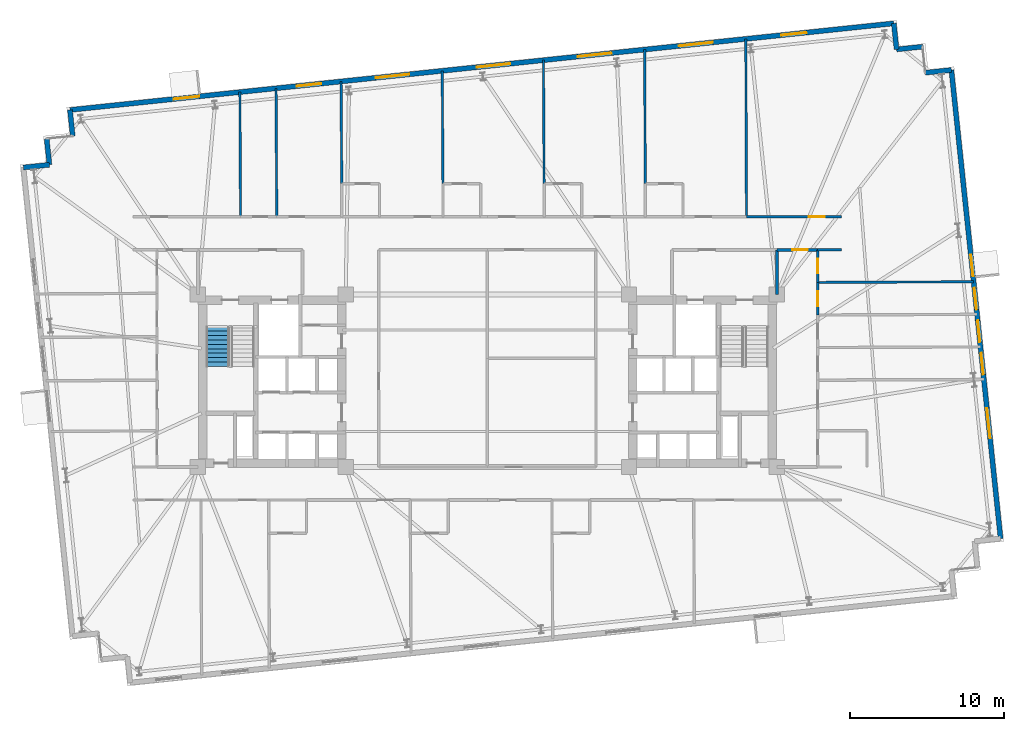
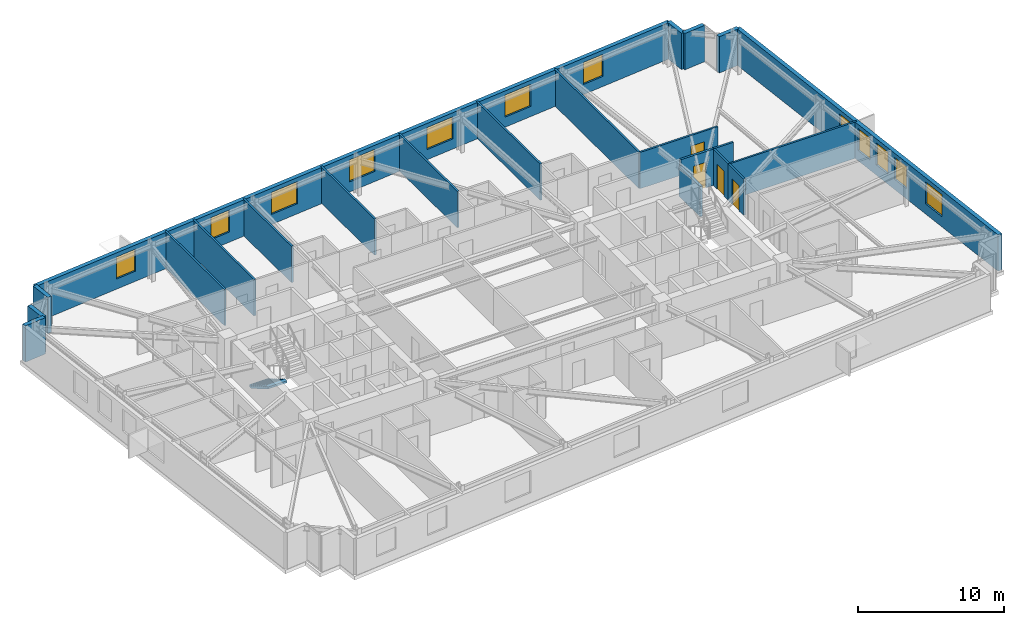
# One storey, part 16 of 19: 22 walls, 12 windows, 4 doors, 1 stair flight, 16 openings, 1 element without a shape of its own.
"""IFC4 building model written with IfcOpenShell, lengths in metres."""

from ifc_helpers import new_model, si_unit, direction, frame, frame_2d, origin, place, context, subcontext, project, spatial, polyline, rectangle, outline, extrude, material, layer, layer_set, type_object, element, fill, aggregate, save


model = new_model("IFC4")

# Units and contexts
model_context = context("Model", 3, precision=1e-05, world=origin(), true_north=direction((0.0, 1.0)))
body_context = subcontext(model_context, "Body", "Model", "MODEL_VIEW")
ifc_project = project(units=[si_unit("LENGTHUNIT", "METRE"), si_unit("AREAUNIT", "SQUARE_METRE"), si_unit("VOLUMEUNIT", "CUBIC_METRE"), si_unit("PLANEANGLEUNIT", "RADIAN"), si_unit("MASSUNIT", "GRAM", prefix="KILO")], contexts=[model_context])

# Site, building, storey
site_placement = place(None, origin())
site = spatial("IfcSite", under=ifc_project, at=site_placement, CompositionType="ELEMENT")
building_placement = place(site_placement, origin())
building = spatial("IfcBuilding", under=site, at=building_placement, Name="Qobustan Lattice House", CompositionType="ELEMENT")
storey_placement = place(building_placement, frame((0.0, 0.0, 85.699951171875)))
storey = spatial("IfcBuildingStorey", under=building, at=storey_placement, Name="L23", CompositionType="ELEMENT", Elevation=85.699951171875)

# Walls
ifc_material_1 = material(Name="Precast concrete C40/50", Category="concrete")
ifc_layer_1 = layer(ifc_material_1, 0.320068359375)
ifc_layer_set_1 = layer_set([ifc_layer_1], Name="Precast concrete C40/50")
wall_type_1 = type_object("IfcWallType", Name="WAL-EXT-STONE-320", PredefinedType="SOLIDWALL", material=ifc_layer_set_1)
for number, where, z_axis, x_axis, name in (
    (1, (-30.13330078125, 13.84912109375, 0.0), (0.0, 0.0, 1.0), (0.994534530939, 0.104408173862, 0.0), "L23 exterior limestone-clad wall 6"),
    (2, (-28.442626953125, 14.026611328125, 0.0), (0.0, 0.0, 1.0), (-0.104550220202, 0.994519608382, 0.0), "L23 exterior limestone-clad wall 7"),
    (3, (-26.9296875, 15.89501953125, 0.0), (0.0, 0.0, 1.0), (-0.104550220202, 0.994519608382, 0.0), "L23 exterior limestone-clad wall 9"),
):
    element("IfcWall", number, at=place(storey_placement, frame(where, z_axis=z_axis, x_axis=x_axis)), inside=storey, type_object=wall_type_1, Name=name, PredefinedType="SOLIDWALL", context=body_context, shape_type="SweptSolid", body=[
        extrude(rectangle(XDim=1.699951171875, YDim=0.320068359375, at=frame_2d((0.85009765625, 0.0))), origin(), (0.0, 0.0, 1.0), 3.045166015625),
    ])

# Wall, openings, windows
wall_1_placement = place(storey_placement, frame((-27.107421875, 17.585693359375, 0.0), z_axis=(0.0, 0.0, 1.0), x_axis=(0.994521628355, 0.104531003701, 0.0)))
wall_1 = element("IfcWall", 4, at=wall_1_placement, inside=storey, type_object=wall_type_1, Name="L23 exterior limestone-clad wall 10", PredefinedType="SOLIDWALL", context=body_context, shape_type="SweptSolid", body=[
    extrude(rectangle(XDim=53.800048828125, YDim=0.320068359375, at=frame_2d((26.89990234375, 0.0))), origin(), (0.0, 0.0, 1.0), 3.045166015625),
])
opening_1_placement = place(wall_1_placement, frame((6.78076171875, 0.0, 0.85009765625)))
opening_1 = element("IfcOpeningElement", 5, at=opening_1_placement, cuts=wall_1, Name="Opening WN-09", PredefinedType="OPENING", context=body_context, shape_type="SweptSolid", body=[
    extrude(rectangle(XDim=1.64990234375, YDim=1.85009765625, at=frame_2d((0.824951171875, 0.925048828125))), frame((0.0, 0.169921875, 0.0), z_axis=(0.0, -1.0, 0.0), x_axis=(1.0, 0.0, 0.0)), (0.0, 0.0, 1.0), 0.340087890625),
])
opening_2_placement = place(wall_1_placement, frame((14.8115234375, 0.0, 0.85009765625)))
opening_2 = element("IfcOpeningElement", 6, at=opening_2_placement, cuts=wall_1, Name="Opening WN-13", PredefinedType="OPENING", context=body_context, shape_type="SweptSolid", body=[
    extrude(rectangle(XDim=1.60009765625, YDim=1.85009765625, at=frame_2d((0.800048828125, 0.925048828125))), frame((0.0, 0.169921875, 0.0), z_axis=(0.0, -1.0, 0.0), x_axis=(1.0, 0.0, 0.0)), (0.0, 0.0, 1.0), 0.340087890625),
])
opening_3_placement = place(wall_1_placement, frame((19.955810546875, 0.0, 0.85009765625)))
opening_3 = element("IfcOpeningElement", 7, at=opening_3_placement, cuts=wall_1, Name="Opening WN-03", PredefinedType="OPENING", context=body_context, shape_type="SweptSolid", body=[
    extrude(rectangle(XDim=2.199951171875, YDim=1.85009765625, at=frame_2d((1.10009765625, 0.925048828125))), frame((0.0, 0.169921875, 0.0), z_axis=(0.0, -1.0, 0.0), x_axis=(1.0, 0.0, 0.0)), (0.0, 0.0, 1.0), 0.340087890625),
])
opening_4_placement = place(wall_1_placement, frame((26.560546875, 0.0, 0.85009765625)))
opening_4 = element("IfcOpeningElement", 8, at=opening_4_placement, cuts=wall_1, Name="Opening WN-03", PredefinedType="OPENING", context=body_context, shape_type="SweptSolid", body=[
    extrude(rectangle(XDim=2.199951171875, YDim=1.85009765625, at=frame_2d((1.10009765625, 0.925048828125))), frame((0.0, 0.169921875, 0.0), z_axis=(0.0, -1.0, 0.0), x_axis=(1.0, 0.0, 0.0)), (0.0, 0.0, 1.0), 0.340087890625),
])
opening_5_placement = place(wall_1_placement, frame((33.16552734375, 0.0, 0.85009765625)))
opening_5 = element("IfcOpeningElement", 9, at=opening_5_placement, cuts=wall_1, Name="Opening WN-03", PredefinedType="OPENING", context=body_context, shape_type="SweptSolid", body=[
    extrude(rectangle(XDim=2.199951171875, YDim=1.85009765625, at=frame_2d((1.10009765625, 0.925048828125))), frame((0.0, 0.169921875, 0.0), z_axis=(0.0, -1.0, 0.0), x_axis=(1.0, 0.0, 0.0)), (0.0, 0.0, 1.0), 0.340087890625),
])
opening_6_placement = place(wall_1_placement, frame((39.7705078125, 0.0, 0.85009765625)))
opening_6 = element("IfcOpeningElement", 10, at=opening_6_placement, cuts=wall_1, Name="Opening WN-03", PredefinedType="OPENING", context=body_context, shape_type="SweptSolid", body=[
    extrude(rectangle(XDim=2.199951171875, YDim=1.85009765625, at=frame_2d((1.10009765625, 0.925048828125))), frame((0.0, 0.169921875, 0.0), z_axis=(0.0, -1.0, 0.0), x_axis=(1.0, 0.0, 0.0)), (0.0, 0.0, 1.0), 0.340087890625),
])
opening_7_placement = place(wall_1_placement, frame((46.4501953125, 0.0, 0.85009765625)))
opening_7 = element("IfcOpeningElement", 11, at=opening_7_placement, cuts=wall_1, Name="Opening WN-09", PredefinedType="OPENING", context=body_context, shape_type="SweptSolid", body=[
    extrude(rectangle(XDim=1.64990234375, YDim=1.85009765625, at=frame_2d((0.824951171875, 0.925048828125))), frame((0.0, 0.169921875, 0.0), z_axis=(0.0, -1.0, 0.0), x_axis=(1.0, 0.0, 0.0)), (0.0, 0.0, 1.0), 0.340087890625),
])
ifc_material_2 = material(Name="Double-glazed low-E aluminium window", Category="aluminium")
window_type_1 = type_object("IfcWindowType", Name="WIN-BED-1600x1850", PartitioningType="SINGLE_PANEL", PredefinedType="WINDOW", material=ifc_material_2)
window_1_placement = place(opening_2_placement, origin())
window_1 = element("IfcWindow", 12, at=window_1_placement, inside=storey, type_object=window_type_1, Name="L23 Laundry utility room window", OverallHeight=1.85009765625, OverallWidth=1.60009765625, PartitioningType="SINGLE_PANEL", PredefinedType="WINDOW", context=body_context, shape_type="SweptSolid", body=[
    extrude(rectangle(XDim=1.60009765625, YDim=1.85009765625, at=frame_2d((0.800048828125, 0.925048828125))), frame((0.0, 0.030029296875, 0.0), z_axis=(0.0, -1.0, 0.0), x_axis=(1.0, 0.0, 0.0)), (0.0, 0.0, 1.0), 0.06005859375),
])
fill(opening_2, window_1)
ifc_material_3 = material(Name="Double-glazed low-E aluminium window", Category="aluminium")
window_type_2 = type_object("IfcWindowType", Name="WIN-STU-1650x1850", PartitioningType="SINGLE_PANEL", PredefinedType="WINDOW", material=ifc_material_3)
window_2_placement = place(opening_1_placement, origin())
window_2 = element("IfcWindow", 13, at=window_2_placement, inside=storey, type_object=window_type_2, Name="L23 Focus study room N1 window", OverallHeight=1.85009765625, OverallWidth=1.64990234375, PartitioningType="SINGLE_PANEL", PredefinedType="WINDOW", context=body_context, shape_type="SweptSolid", body=[
    extrude(rectangle(XDim=1.64990234375, YDim=1.85009765625, at=frame_2d((0.824951171875, 0.925048828125))), frame((0.0, 0.030029296875, 0.0), z_axis=(0.0, -1.0, 0.0), x_axis=(1.0, 0.0, 0.0)), (0.0, 0.0, 1.0), 0.06005859375),
])
fill(opening_1, window_2)
window_3_placement = place(opening_7_placement, origin())
window_3 = element("IfcWindow", 14, at=window_3_placement, inside=storey, type_object=window_type_2, Name="L23 Focus study room N7 window", OverallHeight=1.85009765625, OverallWidth=1.64990234375, PartitioningType="SINGLE_PANEL", PredefinedType="WINDOW", context=body_context, shape_type="SweptSolid", body=[
    extrude(rectangle(XDim=1.64990234375, YDim=1.85009765625, at=frame_2d((0.824951171875, 0.925048828125))), frame((0.0, 0.030029296875, 0.0), z_axis=(0.0, -1.0, 0.0), x_axis=(1.0, 0.0, 0.0)), (0.0, 0.0, 1.0), 0.06005859375),
])
fill(opening_7, window_3)
ifc_material_4 = material(Name="Double-glazed low-E aluminium window", Category="aluminium")
window_type_3 = type_object("IfcWindowType", Name="WIN-WIDE-2200x1850", PartitioningType="SINGLE_PANEL", PredefinedType="WINDOW", material=ifc_material_4)
window_4_placement = place(opening_3_placement, origin())
window_4 = element("IfcWindow", 15, at=window_4_placement, inside=storey, type_object=window_type_3, Name="L23 Kitchenette and studio apartment L23-N3 window", OverallHeight=1.85009765625, OverallWidth=2.199951171875, PartitioningType="SINGLE_PANEL", PredefinedType="WINDOW", context=body_context, shape_type="SweptSolid", body=[
    extrude(rectangle(XDim=2.199951171875, YDim=1.85009765625, at=frame_2d((1.10009765625, 0.925048828125))), frame((0.0, 0.030029296875, 0.0), z_axis=(0.0, -1.0, 0.0), x_axis=(1.0, 0.0, 0.0)), (0.0, 0.0, 1.0), 0.06005859375),
])
fill(opening_3, window_4)
window_5_placement = place(opening_4_placement, origin())
window_5 = element("IfcWindow", 16, at=window_5_placement, inside=storey, type_object=window_type_3, Name="L23 Kitchenette and studio apartment L23-N4 window", OverallHeight=1.85009765625, OverallWidth=2.199951171875, PartitioningType="SINGLE_PANEL", PredefinedType="WINDOW", context=body_context, shape_type="SweptSolid", body=[
    extrude(rectangle(XDim=2.199951171875, YDim=1.85009765625, at=frame_2d((1.10009765625, 0.925048828125))), frame((0.0, 0.030029296875, 0.0), z_axis=(0.0, -1.0, 0.0), x_axis=(1.0, 0.0, 0.0)), (0.0, 0.0, 1.0), 0.06005859375),
])
fill(opening_4, window_5)
window_6_placement = place(opening_5_placement, origin())
window_6 = element("IfcWindow", 17, at=window_6_placement, inside=storey, type_object=window_type_3, Name="L23 Kitchenette and studio apartment L23-N5 window", OverallHeight=1.85009765625, OverallWidth=2.199951171875, PartitioningType="SINGLE_PANEL", PredefinedType="WINDOW", context=body_context, shape_type="SweptSolid", body=[
    extrude(rectangle(XDim=2.199951171875, YDim=1.85009765625, at=frame_2d((1.10009765625, 0.925048828125))), frame((0.0, 0.030029296875, 0.0), z_axis=(0.0, -1.0, 0.0), x_axis=(1.0, 0.0, 0.0)), (0.0, 0.0, 1.0), 0.06005859375),
])
fill(opening_5, window_6)
window_7_placement = place(opening_6_placement, origin())
window_7 = element("IfcWindow", 18, at=window_7_placement, inside=storey, type_object=window_type_3, Name="L23 Kitchenette and studio apartment L23-N6 window", OverallHeight=1.85009765625, OverallWidth=2.199951171875, PartitioningType="SINGLE_PANEL", PredefinedType="WINDOW", context=body_context, shape_type="SweptSolid", body=[
    extrude(rectangle(XDim=2.199951171875, YDim=1.85009765625, at=frame_2d((1.10009765625, 0.925048828125))), frame((0.0, 0.030029296875, 0.0), z_axis=(0.0, -1.0, 0.0), x_axis=(1.0, 0.0, 0.0)), (0.0, 0.0, 1.0), 0.06005859375),
])
fill(opening_6, window_7)

# Walls
for number, where, z_axis, x_axis, name in (
    (19, (26.39794921875, 23.20947265625, 0.0), (0.0, 0.0, 1.0), (0.104550220202, -0.994519608382, 0.0), "L23 exterior limestone-clad wall 11"),
    (20, (26.57568359375, 21.518798828125, 0.0), (0.0, 0.0, 1.0), (0.994534530939, 0.104408173862, 0.0), "L23 exterior limestone-clad wall 12"),
    (21, (28.444091796875, 20.005615234375, 0.0), (0.0, 0.0, 1.0), (0.994519608382, 0.104550220202, 0.0), "L23 exterior limestone-clad wall 14"),
):
    element("IfcWall", number, at=place(storey_placement, frame(where, z_axis=z_axis, x_axis=x_axis)), inside=storey, type_object=wall_type_1, Name=name, PredefinedType="SOLIDWALL", context=body_context, shape_type="SweptSolid", body=[
        extrude(rectangle(XDim=1.699951171875, YDim=0.320068359375, at=frame_2d((0.85009765625, 0.0))), origin(), (0.0, 0.0, 1.0), 3.045166015625),
    ])

# Wall, openings, windows
wall_2_placement = place(storey_placement, frame((30.134765625, 20.183349609375, 0.0), z_axis=(0.0, 0.0, 1.0), x_axis=(0.104525716865, -0.994522184023, 0.0)))
wall_2 = element("IfcWall", 22, at=wall_2_placement, inside=storey, type_object=wall_type_1, Name="L23 exterior limestone-clad wall 15", PredefinedType="SOLIDWALL", context=body_context, shape_type="SweptSolid", body=[
    extrude(rectangle(XDim=30.60009765625, YDim=0.320068359375, at=frame_2d((15.300048828125, 0.0))), origin(), (0.0, 0.0, 1.0), 3.045166015625),
])
opening_8_placement = place(wall_2_placement, frame((12.07666015625, 0.0, 0.85009765625)))
opening_8 = element("IfcOpeningElement", 23, at=opening_8_placement, cuts=wall_2, Name="Opening WN-12", PredefinedType="OPENING", context=body_context, shape_type="SweptSolid", body=[
    extrude(rectangle(XDim=1.39990234375, YDim=1.85009765625, at=frame_2d((0.699951171875, 0.925048828125))), frame((0.0, 0.169921875, 0.0), z_axis=(0.0, -1.0, 0.0), x_axis=(1.0, 0.0, 0.0)), (0.0, 0.0, 1.0), 0.340087890625),
])
opening_9_placement = place(wall_2_placement, frame((14.239501953125, 0.0, 0.85009765625)))
opening_9 = element("IfcOpeningElement", 24, at=opening_9_placement, cuts=wall_2, Name="Opening WN-12", PredefinedType="OPENING", context=body_context, shape_type="SweptSolid", body=[
    extrude(rectangle(XDim=1.39990234375, YDim=1.85009765625, at=frame_2d((0.699951171875, 0.925048828125))), frame((0.0, 0.169921875, 0.0), z_axis=(0.0, -1.0, 0.0), x_axis=(1.0, 0.0, 0.0)), (0.0, 0.0, 1.0), 0.340087890625),
])
opening_10_placement = place(wall_2_placement, frame((16.3623046875, 0.0, 0.85009765625)))
opening_10 = element("IfcOpeningElement", 25, at=opening_10_placement, cuts=wall_2, Name="Opening WN-12", PredefinedType="OPENING", context=body_context, shape_type="SweptSolid", body=[
    extrude(rectangle(XDim=1.39990234375, YDim=1.85009765625, at=frame_2d((0.699951171875, 0.925048828125))), frame((0.0, 0.169921875, 0.0), z_axis=(0.0, -1.0, 0.0), x_axis=(1.0, 0.0, 0.0)), (0.0, 0.0, 1.0), 0.340087890625),
])
opening_11_placement = place(wall_2_placement, frame((18.485107421875, 0.0, 0.85009765625)))
opening_11 = element("IfcOpeningElement", 26, at=opening_11_placement, cuts=wall_2, Name="Opening WN-12", PredefinedType="OPENING", context=body_context, shape_type="SweptSolid", body=[
    extrude(rectangle(XDim=1.39990234375, YDim=1.85009765625, at=frame_2d((0.699951171875, 0.925048828125))), frame((0.0, 0.169921875, 0.0), z_axis=(0.0, -1.0, 0.0), x_axis=(1.0, 0.0, 0.0)), (0.0, 0.0, 1.0), 0.340087890625),
])
opening_12_placement = place(wall_2_placement, frame((22.09521484375, 0.0, 0.85009765625)))
opening_12 = element("IfcOpeningElement", 27, at=opening_12_placement, cuts=wall_2, Name="Opening WN-08", PredefinedType="OPENING", context=body_context, shape_type="SweptSolid", body=[
    extrude(rectangle(XDim=1.949951171875, YDim=1.85009765625, at=frame_2d((0.97509765625, 0.925048828125))), frame((0.0, 0.169921875, 0.0), z_axis=(0.0, -1.0, 0.0), x_axis=(1.0, 0.0, 0.0)), (0.0, 0.0, 1.0), 0.340087890625),
])
ifc_material_5 = material(Name="Double-glazed low-E aluminium window", Category="aluminium")
window_type_4 = type_object("IfcWindowType", Name="WIN-BED-1400x1850", PartitioningType="SINGLE_PANEL", PredefinedType="WINDOW", material=ifc_material_5)
window_8_placement = place(opening_8_placement, origin())
window_8 = element("IfcWindow", 28, at=window_8_placement, inside=storey, type_object=window_type_4, Name="L23 Cluster bedroom L23E4 window", OverallHeight=1.85009765625, OverallWidth=1.39990234375, PartitioningType="SINGLE_PANEL", PredefinedType="WINDOW", context=body_context, shape_type="SweptSolid", body=[
    extrude(rectangle(XDim=1.39990234375, YDim=1.85009765625, at=frame_2d((0.699951171875, 0.925048828125))), frame((0.0, 0.030029296875, 0.0), z_axis=(0.0, -1.0, 0.0), x_axis=(1.0, 0.0, 0.0)), (0.0, 0.0, 1.0), 0.06005859375),
])
fill(opening_8, window_8)
window_9_placement = place(opening_9_placement, origin())
window_9 = element("IfcWindow", 29, at=window_9_placement, inside=storey, type_object=window_type_4, Name="L23 Cluster bedroom L23E3 window", OverallHeight=1.85009765625, OverallWidth=1.39990234375, PartitioningType="SINGLE_PANEL", PredefinedType="WINDOW", context=body_context, shape_type="SweptSolid", body=[
    extrude(rectangle(XDim=1.39990234375, YDim=1.85009765625, at=frame_2d((0.699951171875, 0.925048828125))), frame((0.0, 0.030029296875, 0.0), z_axis=(0.0, -1.0, 0.0), x_axis=(1.0, 0.0, 0.0)), (0.0, 0.0, 1.0), 0.06005859375),
])
fill(opening_9, window_9)
window_10_placement = place(opening_10_placement, origin())
window_10 = element("IfcWindow", 30, at=window_10_placement, inside=storey, type_object=window_type_4, Name="L23 Cluster bedroom L23E2 window", OverallHeight=1.85009765625, OverallWidth=1.39990234375, PartitioningType="SINGLE_PANEL", PredefinedType="WINDOW", context=body_context, shape_type="SweptSolid", body=[
    extrude(rectangle(XDim=1.39990234375, YDim=1.85009765625, at=frame_2d((0.699951171875, 0.925048828125))), frame((0.0, 0.030029296875, 0.0), z_axis=(0.0, -1.0, 0.0), x_axis=(1.0, 0.0, 0.0)), (0.0, 0.0, 1.0), 0.06005859375),
])
fill(opening_10, window_10)
window_11_placement = place(opening_11_placement, origin())
window_11 = element("IfcWindow", 31, at=window_11_placement, inside=storey, type_object=window_type_4, Name="L23 Cluster bedroom L23E1 window", OverallHeight=1.85009765625, OverallWidth=1.39990234375, PartitioningType="SINGLE_PANEL", PredefinedType="WINDOW", context=body_context, shape_type="SweptSolid", body=[
    extrude(rectangle(XDim=1.39990234375, YDim=1.85009765625, at=frame_2d((0.699951171875, 0.925048828125))), frame((0.0, 0.030029296875, 0.0), z_axis=(0.0, -1.0, 0.0), x_axis=(1.0, 0.0, 0.0)), (0.0, 0.0, 1.0), 0.06005859375),
])
fill(opening_11, window_11)
ifc_material_6 = material(Name="Double-glazed low-E aluminium window", Category="aluminium")
window_type_5 = type_object("IfcWindowType", Name="WIN-KIT-1950x1850", PartitioningType="SINGLE_PANEL", PredefinedType="WINDOW", material=ifc_material_6)
window_12_placement = place(opening_12_placement, origin())
window_12 = element("IfcWindow", 32, at=window_12_placement, inside=storey, type_object=window_type_5, Name="L23 Shared kitchen L23E window", OverallHeight=1.85009765625, OverallWidth=1.949951171875, PartitioningType="SINGLE_PANEL", PredefinedType="WINDOW", context=body_context, shape_type="SweptSolid", body=[
    extrude(rectangle(XDim=1.949951171875, YDim=1.85009765625, at=frame_2d((0.97509765625, 0.925048828125))), frame((0.0, 0.030029296875, 0.0), z_axis=(0.0, -1.0, 0.0), x_axis=(1.0, 0.0, 0.0)), (0.0, 0.0, 1.0), 0.06005859375),
])
fill(opening_12, window_12)

# Wall, opening, door
ifc_material_7 = material(Name="Gypsum fireboard acoustic partition", Category="gypsum")
ifc_layer_2 = layer(ifc_material_7, 0.179931640625)
ifc_layer_set_2 = layer_set([ifc_layer_2], Name="Gypsum fireboard acoustic partition")
wall_type_2 = type_object("IfcWallType", Name="WAL-FIRE-180", PredefinedType="PARTITIONING", material=ifc_layer_set_2)
wall_3_placement = place(storey_placement, frame((21.449951171875, 8.5, 0.0), z_axis=(0.0, 0.0, 1.0), x_axis=(-1.0, 0.0, 0.0)))
wall_3 = element("IfcWall", 33, at=wall_3_placement, inside=storey, type_object=wall_type_2, Name="L23 interior partition 47", PredefinedType="PARTITIONING", context=body_context, shape_type="SweptSolid", body=[
    extrude(rectangle(XDim=2.64990234375, YDim=0.179931640625, at=frame_2d((1.324951171875, 0.0))), origin(), (0.0, 0.0, 1.0), 3.045166015625),
])
opening_13_placement = place(wall_3_placement, frame((0.64111328125, 0.0, 0.0)))
opening_13 = element("IfcOpeningElement", 34, at=opening_13_placement, cuts=wall_3, Name="Opening FD-02", PredefinedType="OPENING", context=body_context, shape_type="SweptSolid", body=[
    extrude(rectangle(XDim=1.0, YDim=2.14990234375, at=frame_2d((0.5, 1.074951171875))), frame((0.0, 0.099853515625, 0.0), z_axis=(0.0, -1.0, 0.0), x_axis=(1.0, 0.0, 0.0)), (0.0, 0.0, 1.0), 0.199951171875),
])
ifc_material_8 = material(Name="Persian walnut timber and steel frame door", Category="steel")
door_type_1 = type_object("IfcDoorType", Name="DOR-UNIT-FD-1000x2150", OperationType="NOTDEFINED", PredefinedType="DOOR", material=ifc_material_8)
door_1_placement = place(opening_13_placement, origin())
door_1 = element("IfcDoor", 35, at=door_1_placement, inside=storey, type_object=door_type_1, Name="L23 North-east floor corridor to Residence entrance hall L23E door", OperationType="SINGLE_SWING_LEFT", OverallHeight=2.14990234375, OverallWidth=1.0, PredefinedType="DOOR", context=body_context, shape_type="SweptSolid", body=[
    extrude(rectangle(XDim=1.0, YDim=2.14990234375, at=frame_2d((0.5, 1.074951171875))), frame((0.0, 0.02490234375, 0.0), z_axis=(0.0, -1.0, 0.0), x_axis=(1.0, 0.0, 0.0)), (0.0, 0.0, 1.0), 0.050048828125),
])
fill(opening_13, door_1)

# Wall
ifc_material_9 = material(Name="Acoustic twin-stud gypsum partition", Category="gypsum")
ifc_layer_3 = layer(ifc_material_9, 0.14990234375)
ifc_layer_set_3 = layer_set([ifc_layer_3], Name="Acoustic twin-stud gypsum partition")
wall_type_3 = type_object("IfcWallType", Name="WAL-PART-150", PredefinedType="PARTITIONING", material=ifc_layer_set_3)
wall_4_placement = place(storey_placement, frame((23.0, 8.5, 0.0), z_axis=(0.0, 0.0, 1.0), x_axis=(-1.0, 0.0, 0.0)))
element("IfcWall", 36, at=wall_4_placement, inside=storey, type_object=wall_type_3, Name="L23 interior partition 48", PredefinedType="PARTITIONING", context=body_context, shape_type="SweptSolid", body=[
    extrude(rectangle(XDim=1.550048828125, YDim=0.14990234375, at=frame_2d((0.77490234375, 0.0))), origin(), (0.0, 0.0, 1.0), 3.045166015625),
])

# Wall, opening, door
wall_5_placement = place(storey_placement, frame((16.8291015625, 10.64990234375, 0.0), z_axis=(0.0, 0.0, 1.0), x_axis=(1.0, 0.0, 0.0)))
wall_5 = element("IfcWall", 37, at=wall_5_placement, inside=storey, type_object=wall_type_3, Name="L23 interior partition 54", PredefinedType="PARTITIONING", context=body_context, shape_type="SweptSolid", body=[
    extrude(rectangle(XDim=6.1708984375, YDim=0.14990234375, at=frame_2d((3.08544921875, 0.0))), origin(), (0.0, 0.0, 1.0), 3.045166015625),
])
opening_14_placement = place(wall_5_placement, frame((4.0458984375, 0.0, 0.0)))
opening_14 = element("IfcOpeningElement", 38, at=opening_14_placement, cuts=wall_5, Name="Opening ID-02", PredefinedType="OPENING", context=body_context, shape_type="SweptSolid", body=[
    extrude(rectangle(XDim=1.050048828125, YDim=2.14990234375, at=frame_2d((0.52490234375, 1.074951171875))), frame((0.0, 0.0849609375, 0.0), z_axis=(0.0, -1.0, 0.0), x_axis=(1.0, 0.0, 0.0)), (0.0, 0.0, 1.0), 0.169921875),
])
ifc_material_10 = material(Name="Persian walnut timber and steel frame door", Category="steel")
door_type_2 = type_object("IfcDoorType", Name="DOR-STUDY-1050x2150", OperationType="NOTDEFINED", PredefinedType="DOOR", material=ifc_material_10)
door_2_placement = place(opening_14_placement, origin())
door_2 = element("IfcDoor", 39, at=door_2_placement, inside=storey, type_object=door_type_2, Name="L23 North-east floor corridor to Focus study room N7 door", OperationType="SINGLE_SWING_LEFT", OverallHeight=2.14990234375, OverallWidth=1.050048828125, PredefinedType="DOOR", context=body_context, shape_type="SweptSolid", body=[
    extrude(rectangle(XDim=1.050048828125, YDim=2.14990234375, at=frame_2d((0.52490234375, 1.074951171875))), frame((0.0, 0.02490234375, 0.0), z_axis=(0.0, -1.0, 0.0), x_axis=(1.0, 0.0, 0.0)), (0.0, 0.0, 1.0), 0.050048828125),
])
fill(opening_14, door_2)

wall_6_placement = place(storey_placement, frame((21.449951171875, 6.385009765625, 0.0), z_axis=(0.0, 0.0, 1.0), x_axis=(0.0, -1.0, 0.0)))
wall_6 = element("IfcWall", 40, at=wall_6_placement, inside=storey, type_object=wall_type_3, Name="L23 interior partition 88", PredefinedType="PARTITIONING", context=body_context, shape_type="SweptSolid", body=[
    extrude(rectangle(XDim=2.114990234375, YDim=0.14990234375, at=frame_2d((1.0576171875, 0.0))), origin(), (0.0, 0.0, 1.0), 3.045166015625),
])
opening_15_placement = place(wall_6_placement, frame((0.58251953125, 0.0, 0.0)))
opening_15 = element("IfcOpeningElement", 41, at=opening_15_placement, cuts=wall_6, Name="Opening ID-01", PredefinedType="OPENING", context=body_context, shape_type="SweptSolid", body=[
    extrude(rectangle(XDim=0.949951171875, YDim=2.10009765625, at=frame_2d((0.47509765625, 1.050048828125))), frame((0.0, 0.0849609375, 0.0), z_axis=(0.0, -1.0, 0.0), x_axis=(1.0, 0.0, 0.0)), (0.0, 0.0, 1.0), 0.169921875),
])
ifc_material_11 = material(Name="Persian walnut timber and steel frame door", Category="steel")
door_type_3 = type_object("IfcDoorType", Name="DOR-ROOM-950x2100", OperationType="NOTDEFINED", PredefinedType="DOOR", material=ifc_material_11)
door_3_placement = place(opening_15_placement, origin())
door_3 = element("IfcDoor", 42, at=door_3_placement, inside=storey, type_object=door_type_3, Name="L23 Residence entrance hall L23E to Cluster bedroom L23E3 door", OperationType="SINGLE_SWING_RIGHT", OverallHeight=2.10009765625, OverallWidth=0.949951171875, PredefinedType="DOOR", context=body_context, shape_type="SweptSolid", body=[
    extrude(rectangle(XDim=0.949951171875, YDim=2.10009765625, at=frame_2d((0.47509765625, 1.050048828125))), frame((0.0, 0.02490234375, 0.0), z_axis=(0.0, -1.0, 0.0), x_axis=(1.0, 0.0, 0.0)), (0.0, 0.0, 1.0), 0.050048828125),
])
fill(opening_15, door_3)

wall_7_placement = place(storey_placement, frame((21.449951171875, 8.5, 0.0), z_axis=(0.0, 0.0, 1.0), x_axis=(0.0, -1.0, 0.0)))
wall_7 = element("IfcWall", 43, at=wall_7_placement, inside=storey, type_object=wall_type_3, Name="L23 interior partition 89", PredefinedType="PARTITIONING", context=body_context, shape_type="SweptSolid", body=[
    extrude(rectangle(XDim=2.114990234375, YDim=0.14990234375, at=frame_2d((1.0576171875, 0.0))), origin(), (0.0, 0.0, 1.0), 3.045166015625),
])
opening_16_placement = place(wall_7_placement, frame((0.58251953125, 0.0, 0.0)))
opening_16 = element("IfcOpeningElement", 44, at=opening_16_placement, cuts=wall_7, Name="Opening ID-01", PredefinedType="OPENING", context=body_context, shape_type="SweptSolid", body=[
    extrude(rectangle(XDim=0.949951171875, YDim=2.10009765625, at=frame_2d((0.47509765625, 1.050048828125))), frame((0.0, 0.0849609375, 0.0), z_axis=(0.0, -1.0, 0.0), x_axis=(1.0, 0.0, 0.0)), (0.0, 0.0, 1.0), 0.169921875),
])
door_4_placement = place(opening_16_placement, origin())
door_4 = element("IfcDoor", 45, at=door_4_placement, inside=storey, type_object=door_type_3, Name="L23 Residence entrance hall L23E to Cluster bedroom L23E4 door", OperationType="SINGLE_SWING_LEFT", OverallHeight=2.10009765625, OverallWidth=0.949951171875, PredefinedType="DOOR", context=body_context, shape_type="SweptSolid", body=[
    extrude(rectangle(XDim=0.949951171875, YDim=2.10009765625, at=frame_2d((0.47509765625, 1.050048828125))), frame((0.0, 0.02490234375, 0.0), z_axis=(0.0, -1.0, 0.0), x_axis=(1.0, 0.0, 0.0)), (0.0, 0.0, 1.0), 0.050048828125),
])
fill(opening_16, door_4)

# Walls
wall_8_placement = place(storey_placement, frame((21.449951171875, 6.385009765625, 0.0), z_axis=(0.0, 0.0, 1.0), x_axis=(0.999990591112, 0.004337935759, 0.0)))
element("IfcWall", 46, at=wall_8_placement, inside=storey, type_object=wall_type_3, Name="L23 interior partition 95", PredefinedType="PARTITIONING", context=body_context, shape_type="SweptSolid", body=[
    extrude(rectangle(XDim=10.13037109375, YDim=0.14990234375, at=frame_2d((5.065185546875, 0.0))), origin(), (0.0, 0.0, 1.0), 3.045166015625),
])
wall_9_placement = place(storey_placement, frame((-9.5009765625, 19.436279296875, 0.0), z_axis=(0.0, 0.0, 1.0), x_axis=(0.006621884097, -0.999978075085, 0.0)))
element("IfcWall", 47, at=wall_9_placement, inside=storey, type_object=wall_type_3, Name="L23 interior partition 98", PredefinedType="PARTITIONING", context=body_context, shape_type="SweptSolid", body=[
    extrude(rectangle(XDim=6.636474609375, YDim=0.14990234375, at=frame_2d((3.318359375, 0.0))), origin(), (0.0, 0.0, 1.0), 3.045166015625),
])
wall_10_placement = place(storey_placement, frame((-2.929931640625, 20.126953125, 0.0), z_axis=(0.0, 0.0, 1.0), x_axis=(0.005997692928, -0.999982013678, 0.0)))
element("IfcWall", 48, at=wall_10_placement, inside=storey, type_object=wall_type_3, Name="L23 interior partition 102", PredefinedType="PARTITIONING", context=body_context, shape_type="SweptSolid", body=[
    extrude(rectangle(XDim=7.3271484375, YDim=0.14990234375, at=frame_2d((3.66357421875, 0.0))), origin(), (0.0, 0.0, 1.0), 3.045166015625),
])
wall_11_placement = place(storey_placement, frame((3.64208984375, 20.817626953125, 0.0), z_axis=(0.0, 0.0, 1.0), x_axis=(0.005481038253, -0.999984978997, 0.0)))
element("IfcWall", 49, at=wall_11_placement, inside=storey, type_object=wall_type_3, Name="L23 interior partition 106", PredefinedType="PARTITIONING", context=body_context, shape_type="SweptSolid", body=[
    extrude(rectangle(XDim=8.017578125, YDim=0.14990234375, at=frame_2d((4.0087890625, 0.0))), origin(), (0.0, 0.0, 1.0), 3.045166015625),
])
wall_12_placement = place(storey_placement, frame((10.213134765625, 21.50830078125, 0.0), z_axis=(0.0, 0.0, 1.0), x_axis=(0.005046334579, -0.999987267173, 0.0)))
element("IfcWall", 50, at=wall_12_placement, inside=storey, type_object=wall_type_3, Name="L23 interior partition 110", PredefinedType="PARTITIONING", context=body_context, shape_type="SweptSolid", body=[
    extrude(rectangle(XDim=8.708251953125, YDim=0.14990234375, at=frame_2d((4.35400390625, 0.0))), origin(), (0.0, 0.0, 1.0), 3.045166015625),
])
wall_13_placement = place(storey_placement, frame((16.78515625, 22.198974609375, 0.0), z_axis=(0.0, 0.0, 1.0), x_axis=(0.003805067053, -0.999992760706, 0.0)))
element("IfcWall", 51, at=wall_13_placement, inside=storey, type_object=wall_type_3, Name="L23 interior partition 114", PredefinedType="PARTITIONING", context=body_context, shape_type="SweptSolid", body=[
    extrude(rectangle(XDim=11.549072265625, YDim=0.14990234375, at=frame_2d((5.7744140625, 0.0))), origin(), (0.0, 0.0, 1.0), 3.045166015625),
])
ifc_material_12 = material(Name="Two-hour gypsum fireboard acoustic partition", Category="gypsum")
ifc_layer_4 = layer(ifc_material_12, 0.199951171875)
ifc_layer_set_4 = layer_set([ifc_layer_4], Name="Two-hour gypsum fireboard acoustic partition")
wall_type_4 = type_object("IfcWallType", Name="WAL-PROT-200", PredefinedType="PARTITIONING", material=ifc_layer_set_4)
wall_14_placement = place(storey_placement, frame((18.800048828125, 5.60009765625, 0.0), z_axis=(0.0, 0.0, 1.0), x_axis=(0.0, 1.0, 0.0)))
element("IfcWall", 52, at=wall_14_placement, inside=storey, type_object=wall_type_4, Name="L23 interior partition 24", PredefinedType="PARTITIONING", context=body_context, shape_type="SweptSolid", body=[
    extrude(rectangle(XDim=2.89990234375, YDim=0.199951171875, at=frame_2d((1.449951171875, 0.0))), origin(), (0.0, 0.0, 1.0), 2.530029296875),
])
ifc_material_13 = material(Name="Moisture-resistant acoustic plumbing wall", Category="gypsum")
ifc_layer_5 = layer(ifc_material_13, 0.14990234375)
ifc_layer_set_5 = layer_set([ifc_layer_5], Name="Moisture-resistant acoustic plumbing wall")
wall_type_5 = type_object("IfcWallType", Name="WAL-WET-150", PredefinedType="PLUMBINGWALL", material=ifc_layer_set_5)
wall_15_placement = place(storey_placement, frame((-16.072998046875, 18.74560546875, 0.0), z_axis=(0.0, 0.0, 1.0), x_axis=(0.005428146808, -0.999985267503, 0.0)))
element("IfcWall", 53, at=wall_15_placement, inside=storey, type_object=wall_type_5, Name="L23 interior partition 96", PredefinedType="PLUMBINGWALL", context=body_context, shape_type="SweptSolid", body=[
    extrude(rectangle(XDim=8.095703125, YDim=0.14990234375, at=frame_2d((4.0478515625, 0.0))), origin(), (0.0, 0.0, 1.0), 3.045166015625),
])
wall_16_placement = place(storey_placement, frame((-13.722900390625, 18.992431640625, 0.0), z_axis=(0.0, 0.0, 1.0), x_axis=(0.005267551513, -0.999986126354, 0.0)))
element("IfcWall", 54, at=wall_16_placement, inside=storey, type_object=wall_type_5, Name="L23 interior partition 97", PredefinedType="PLUMBINGWALL", context=body_context, shape_type="SweptSolid", body=[
    extrude(rectangle(XDim=8.342529296875, YDim=0.14990234375, at=frame_2d((4.17138671875, 0.0))), origin(), (0.0, 0.0, 1.0), 3.045166015625),
])

# Stair, stair flight
ifc_material_14 = material(Name="Concrete C40/50", Category="concrete")
stair_type = type_object("IfcStairType", Name="STR-CORE-DOGLEG", PredefinedType="HALF_TURN_STAIR", material=ifc_material_14)
stair_placement = place(storey_placement, origin())
stair = element("IfcStair", 55, at=stair_placement, inside=storey, type_object=stair_type, Name="L23 West protected exit stair ST-W1", PredefinedType="HALF_TURN_STAIR")
ifc_material_15 = material(Name="Concrete C40/50", Category="concrete")
stair_flight_type = type_object("IfcStairFlightType", Name="SFL-RC-1500", PredefinedType="STRAIGHT", material=ifc_material_15)
stair_flight_placement = place(storey_placement, frame((-17.5, 3.5, 0.0), z_axis=(0.0, 0.0, 1.0), x_axis=(0.0, -1.0, 0.0)))
stair_flight = element("IfcStairFlight", 56, at=stair_flight_placement, type_object=stair_flight_type, Name="ST-W1 flight 1", NumberOfRisers=10, NumberOfTreads=9, PredefinedType="STRAIGHT", RiserHeight=0.1675, TreadLength=0.285, context=body_context, shape_type="SweptSolid", body=[
    extrude(outline(polyline([(0.0, 0.0), (0.0, 0.16748046875), (0.284912109375, 0.16748046875), (0.284912109375, 0.3349609375), (0.570068359375, 0.3349609375), (0.570068359375, 0.50244140625), (0.85498046875, 0.50244140625), (0.85498046875, 0.669921875), (1.139892578125, 0.669921875), (1.139892578125, 0.83740234375), (1.425048828125, 0.83740234375), (1.425048828125, 1.0048828125), (1.7099609375, 1.0048828125), (1.7099609375, 1.172607421875), (1.9951171875, 1.172607421875), (1.9951171875, 1.340087890625), (2.280029296875, 1.340087890625), (2.280029296875, 1.507568359375), (2.56494140625, 1.507568359375), (2.56494140625, 1.675048828125), (2.56494140625, 1.333740234375), (0.2958984375, 0.0), (0.0, 0.0)])), frame((0.0, 0.75, 0.0), z_axis=(0.0, -1.0, 0.0), x_axis=(1.0, 0.0, 0.0)), (0.0, 0.0, 1.0), 1.5),
])
aggregate(stair, [stair_flight])

save(model, "model.ifc")
